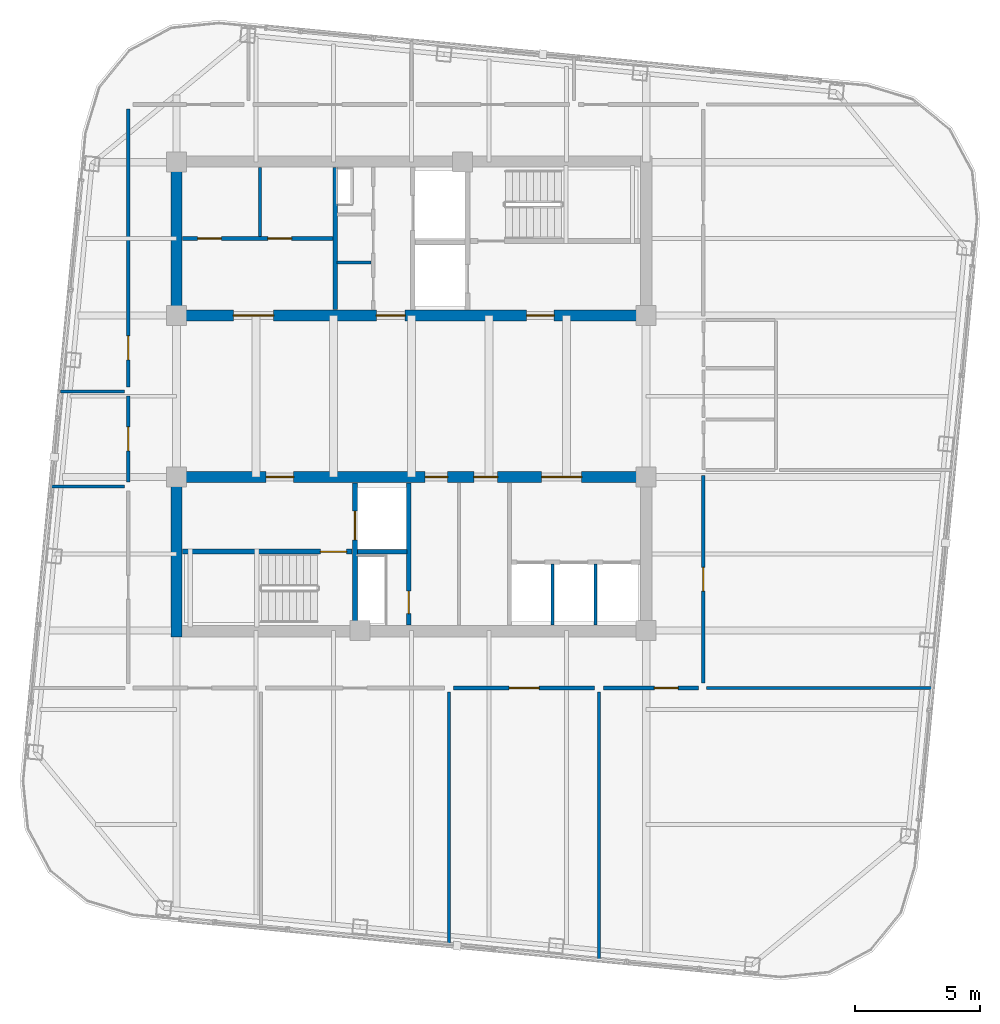
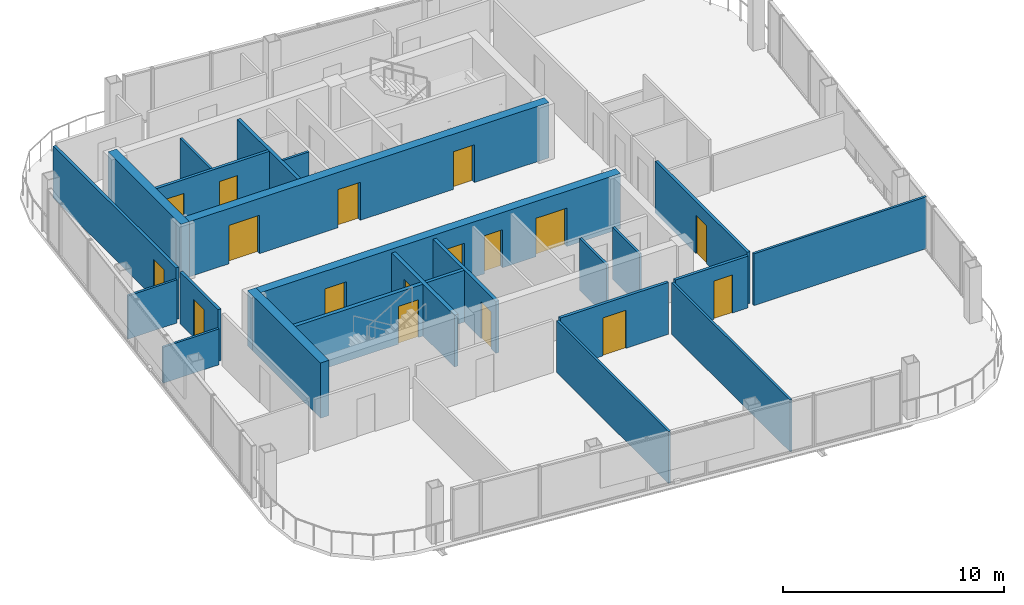
# One storey, part 17 of 23: 24 walls, 17 doors, 17 openings.
"""IFC4 building model written with IfcOpenShell, lengths in metres."""

from ifc_helpers import new_model, si_unit, direction, frame, frame_2d, origin, place, context, subcontext, project, spatial, rectangle, extrude, material, layer, layer_set, type_object, element, fill, save


model = new_model("IFC4")

# Units and contexts
model_context = context("Model", 3, precision=1e-05, world=origin(), true_north=direction((0.0, 1.0)))
body_context = subcontext(model_context, "Body", "Model", "MODEL_VIEW")
ifc_project = project(units=[si_unit("LENGTHUNIT", "METRE"), si_unit("AREAUNIT", "SQUARE_METRE"), si_unit("VOLUMEUNIT", "CUBIC_METRE"), si_unit("PLANEANGLEUNIT", "RADIAN"), si_unit("MASSUNIT", "GRAM", prefix="KILO")], contexts=[model_context])

# Site, building, storey
site_placement = place(None, origin())
site = spatial("IfcSite", under=ifc_project, at=site_placement, CompositionType="ELEMENT")
building_placement = place(site_placement, origin())
building = spatial("IfcBuilding", under=site, at=building_placement, Name="Qhalaya Broadcast Tower", CompositionType="ELEMENT")
storey_placement = place(building_placement, frame((0.0, 0.0, 261.14990234375)))
storey = spatial("IfcBuildingStorey", under=building, at=storey_placement, Name="L77", CompositionType="ELEMENT", Elevation=261.14990234375)

# Wall, openings, doors
ifc_material_1 = material(Name="Gypsum Acoustic Partition")
ifc_layer_1 = layer(ifc_material_1, 0.14990234375, Name="Gypsum Acoustic Partition")
ifc_layer_set_1 = layer_set([ifc_layer_1], Name="Gypsum Acoustic Partition")
wall_type_1 = type_object("IfcWallType", Name="Corridor & Tenancy Acoustic Partition 150", PredefinedType="PARTITIONING", material=ifc_layer_set_1)
wall_1_placement = place(storey_placement, frame((-9.1298828125, 6.89990234375, 0.0), z_axis=(0.0, 0.0, 1.0), x_axis=(1.0, 0.0, 0.0)))
wall_1 = element("IfcWall", 1, at=wall_1_placement, inside=storey, type_object=wall_type_1, Name="L77 Partition Wall NCW-REC1", PredefinedType="PARTITIONING", context=body_context, shape_type="SweptSolid", body=[
    extrude(rectangle(XDim=6.009765625, YDim=0.14990234375, at=frame_2d((3.0048828125, 0.0))), origin(), (0.0, 0.0, 1.0), 2.860107421875),
])
opening_1_placement = place(wall_1_placement, frame((0.60009765625, 0.0, 0.0)))
opening_1 = element("IfcOpeningElement", 2, at=opening_1_placement, cuts=wall_1, Name="Opening D10", PredefinedType="OPENING", context=body_context, shape_type="SweptSolid", body=[
    extrude(rectangle(XDim=0.949951171875, YDim=2.10009765625, at=frame_2d((0.47509765625, 1.050048828125))), frame((0.0, 0.0869140625, 0.0), z_axis=(0.0, -1.0, 0.0), x_axis=(1.0, 0.0, 0.0)), (0.0, 0.0, 1.0), 0.173828125),
])
opening_2_placement = place(wall_1_placement, frame((3.39990234375, 0.0, 0.0)))
opening_2 = element("IfcOpeningElement", 3, at=opening_2_placement, cuts=wall_1, Name="Opening D10", PredefinedType="OPENING", context=body_context, shape_type="SweptSolid", body=[
    extrude(rectangle(XDim=0.949951171875, YDim=2.10009765625, at=frame_2d((0.47509765625, 1.050048828125))), frame((0.0, 0.0869140625, 0.0), z_axis=(0.0, -1.0, 0.0), x_axis=(1.0, 0.0, 0.0)), (0.0, 0.0, 1.0), 0.173828125),
])
ifc_material_2 = material(Name="Timber Veneer Acoustic Door", Category="wood")
door_type_1 = type_object("IfcDoorType", Name="Cellular Office & Edit Booth Door D10", OperationType="NOTDEFINED", PredefinedType="DOOR", material=ifc_material_2)
door_1_placement = place(opening_1_placement, origin())
door_1 = element("IfcDoor", 4, at=door_1_placement, inside=storey, type_object=door_type_1, Name="L77 Door D-NREC1", OperationType="SINGLE_SWING_LEFT", OverallHeight=2.10009765625, OverallWidth=0.949951171875, PredefinedType="DOOR", context=body_context, shape_type="SweptSolid", body=[
    extrude(rectangle(XDim=0.949951171875, YDim=2.10009765625, at=frame_2d((0.47509765625, 1.050048828125))), frame((0.0, 0.02490234375, 0.0), z_axis=(0.0, -1.0, 0.0), x_axis=(1.0, 0.0, 0.0)), (0.0, 0.0, 1.0), 0.050048828125),
])
fill(opening_1, door_1)
door_2_placement = place(opening_2_placement, origin())
door_2 = element("IfcDoor", 5, at=door_2_placement, inside=storey, type_object=door_type_1, Name="L77 Door D-NREC2", OperationType="SINGLE_SWING_RIGHT", OverallHeight=2.10009765625, OverallWidth=0.949951171875, PredefinedType="DOOR", context=body_context, shape_type="SweptSolid", body=[
    extrude(rectangle(XDim=0.949951171875, YDim=2.10009765625, at=frame_2d((0.47509765625, 1.050048828125))), frame((0.0, 0.02490234375, 0.0), z_axis=(0.0, -1.0, 0.0), x_axis=(1.0, 0.0, 0.0)), (0.0, 0.0, 1.0), 0.050048828125),
])
fill(opening_2, door_2)

# Wall, opening, door
wall_2_placement = place(storey_placement, frame((1.679931640625, -11.050048828125, 0.0), z_axis=(0.0, 0.0, 1.0), x_axis=(1.0, 0.0, 0.0)))
wall_2 = element("IfcWall", 6, at=wall_2_placement, inside=storey, type_object=wall_type_1, Name="L77 Partition Wall W-COR-07", PredefinedType="PARTITIONING", context=body_context, shape_type="SweptSolid", body=[
    extrude(rectangle(XDim=5.64013671875, YDim=0.14990234375, at=frame_2d((2.820068359375, 0.0))), origin(), (0.0, 0.0, 1.0), 2.860107421875),
])
opening_3_placement = place(wall_2_placement, frame((2.219970703125, 0.0, 0.0)))
opening_3 = element("IfcOpeningElement", 7, at=opening_3_placement, cuts=wall_2, Name="Opening D11", PredefinedType="OPENING", context=body_context, shape_type="SweptSolid", body=[
    extrude(rectangle(XDim=1.199951171875, YDim=2.10009765625, at=frame_2d((0.60009765625, 1.050048828125))), frame((0.0, 0.0869140625, 0.0), z_axis=(0.0, -1.0, 0.0), x_axis=(1.0, 0.0, 0.0)), (0.0, 0.0, 1.0), 0.173828125),
])
ifc_material_3 = material(Name="Anodised Aluminium Glazed Door", Category="aluminium")
door_type_2 = type_object("IfcDoorType", Name="Conference, Boardroom & Studio Control Door D11", OperationType="NOTDEFINED", PredefinedType="DOOR", material=ifc_material_3)
door_3_placement = place(opening_3_placement, origin())
door_3 = element("IfcDoor", 8, at=door_3_placement, inside=storey, type_object=door_type_2, Name="L77 Door D-RM07", OperationType="SINGLE_SWING_LEFT", OverallHeight=2.10009765625, OverallWidth=1.199951171875, PredefinedType="DOOR", context=body_context, shape_type="SweptSolid", body=[
    extrude(rectangle(XDim=1.199951171875, YDim=2.10009765625, at=frame_2d((0.60009765625, 1.050048828125))), frame((0.0, 0.02490234375, 0.0), z_axis=(0.0, -1.0, 0.0), x_axis=(1.0, 0.0, 0.0)), (0.0, 0.0, 1.0), 0.050048828125),
])
fill(opening_3, door_3)

wall_3_placement = place(storey_placement, frame((7.679931640625, -11.050048828125, 0.0), z_axis=(0.0, 0.0, 1.0), x_axis=(1.0, 0.0, 0.0)))
wall_3 = element("IfcWall", 9, at=wall_3_placement, inside=storey, type_object=wall_type_1, Name="L77 Partition Wall W-COR-08", PredefinedType="PARTITIONING", context=body_context, shape_type="SweptSolid", body=[
    extrude(rectangle(XDim=3.7900390625, YDim=0.14990234375, at=frame_2d((1.89501953125, 0.0))), origin(), (0.0, 0.0, 1.0), 2.860107421875),
])
opening_4_placement = place(wall_3_placement, frame((2.02001953125, 0.0, 0.0)))
opening_4 = element("IfcOpeningElement", 10, at=opening_4_placement, cuts=wall_3, Name="Opening D10", PredefinedType="OPENING", context=body_context, shape_type="SweptSolid", body=[
    extrude(rectangle(XDim=0.949951171875, YDim=2.10009765625, at=frame_2d((0.47509765625, 1.050048828125))), frame((0.0, 0.0869140625, 0.0), z_axis=(0.0, -1.0, 0.0), x_axis=(1.0, 0.0, 0.0)), (0.0, 0.0, 1.0), 0.173828125),
])
door_4_placement = place(opening_4_placement, origin())
door_4 = element("IfcDoor", 11, at=door_4_placement, inside=storey, type_object=door_type_1, Name="L77 Door D-RM08", OperationType="SINGLE_SWING_RIGHT", OverallHeight=2.10009765625, OverallWidth=0.949951171875, PredefinedType="DOOR", context=body_context, shape_type="SweptSolid", body=[
    extrude(rectangle(XDim=0.949951171875, YDim=2.10009765625, at=frame_2d((0.47509765625, 1.050048828125))), frame((0.0, 0.02490234375, 0.0), z_axis=(0.0, -1.0, 0.0), x_axis=(1.0, 0.0, 0.0)), (0.0, 0.0, 1.0), 0.050048828125),
])
fill(opening_4, door_4)

wall_4_placement = place(storey_placement, frame((-11.300048828125, 0.6201171875, 0.0), z_axis=(0.0, 0.0, 1.0), x_axis=(0.0, -1.0, 0.0)))
wall_4 = element("IfcWall", 12, at=wall_4_placement, inside=storey, type_object=wall_type_1, Name="L77 Partition Wall W-COR-10", PredefinedType="PARTITIONING", context=body_context, shape_type="SweptSolid", body=[
    extrude(rectangle(XDim=3.440185546875, YDim=0.14990234375, at=frame_2d((1.72021484375, 0.0))), origin(), (0.0, 0.0, 1.0), 2.860107421875),
])
opening_5_placement = place(wall_4_placement, frame((1.2451171875, 0.0, 0.0)))
opening_5 = element("IfcOpeningElement", 13, at=opening_5_placement, cuts=wall_4, Name="Opening D10", PredefinedType="OPENING", context=body_context, shape_type="SweptSolid", body=[
    extrude(rectangle(XDim=0.949951171875, YDim=2.10009765625, at=frame_2d((0.47509765625, 1.050048828125))), frame((0.0, 0.0869140625, 0.0), z_axis=(0.0, -1.0, 0.0), x_axis=(1.0, 0.0, 0.0)), (0.0, 0.0, 1.0), 0.173828125),
])
door_5_placement = place(opening_5_placement, origin())
door_5 = element("IfcDoor", 14, at=door_5_placement, inside=storey, type_object=door_type_1, Name="L77 Door D-RM10", OperationType="SINGLE_SWING_RIGHT", OverallHeight=2.10009765625, OverallWidth=0.949951171875, PredefinedType="DOOR", context=body_context, shape_type="SweptSolid", body=[
    extrude(rectangle(XDim=0.949951171875, YDim=2.10009765625, at=frame_2d((0.47509765625, 1.050048828125))), frame((0.0, 0.02490234375, 0.0), z_axis=(0.0, -1.0, 0.0), x_axis=(1.0, 0.0, 0.0)), (0.0, 0.0, 1.0), 0.050048828125),
])
fill(opening_5, door_5)

wall_5_placement = place(storey_placement, frame((-11.300048828125, 12.070068359375, 0.0), z_axis=(0.0, 0.0, 1.0), x_axis=(0.0, -1.0, 0.0)))
wall_5 = element("IfcWall", 15, at=wall_5_placement, inside=storey, type_object=wall_type_1, Name="L77 Partition Wall W-COR-11", PredefinedType="PARTITIONING", context=body_context, shape_type="SweptSolid", body=[
    extrude(rectangle(XDim=11.090087890625, YDim=0.14990234375, at=frame_2d((5.544921875, 0.0))), origin(), (0.0, 0.0, 1.0), 2.860107421875),
])
opening_6_placement = place(wall_5_placement, frame((9.06201171875, 0.0, 0.0)))
opening_6 = element("IfcOpeningElement", 16, at=opening_6_placement, cuts=wall_5, Name="Opening D10", PredefinedType="OPENING", context=body_context, shape_type="SweptSolid", body=[
    extrude(rectangle(XDim=0.949951171875, YDim=2.10009765625, at=frame_2d((0.47509765625, 1.050048828125))), frame((0.0, 0.0869140625, 0.0), z_axis=(0.0, -1.0, 0.0), x_axis=(1.0, 0.0, 0.0)), (0.0, 0.0, 1.0), 0.173828125),
])
door_6_placement = place(opening_6_placement, origin())
door_6 = element("IfcDoor", 17, at=door_6_placement, inside=storey, type_object=door_type_1, Name="L77 Door D-RM11", OperationType="SINGLE_SWING_LEFT", OverallHeight=2.10009765625, OverallWidth=0.949951171875, PredefinedType="DOOR", context=body_context, shape_type="SweptSolid", body=[
    extrude(rectangle(XDim=0.949951171875, YDim=2.10009765625, at=frame_2d((0.47509765625, 1.050048828125))), frame((0.0, 0.02490234375, 0.0), z_axis=(0.0, -1.0, 0.0), x_axis=(1.0, 0.0, 0.0)), (0.0, 0.0, 1.0), 0.050048828125),
])
fill(opening_6, door_6)

wall_6_placement = place(storey_placement, frame((11.64990234375, -10.85009765625, 0.0), z_axis=(0.0, 0.0, 1.0), x_axis=(0.0, 1.0, 0.0)))
wall_6 = element("IfcWall", 18, at=wall_6_placement, inside=storey, type_object=wall_type_1, Name="L77 Partition Wall W-COR-12", PredefinedType="PARTITIONING", context=body_context, shape_type="SweptSolid", body=[
    extrude(rectangle(XDim=8.2900390625, YDim=0.14990234375, at=frame_2d((4.14501953125, 0.0))), origin(), (0.0, 0.0, 1.0), 2.860107421875),
])
opening_7_placement = place(wall_6_placement, frame((3.669921875, 0.0, 0.0)))
opening_7 = element("IfcOpeningElement", 19, at=opening_7_placement, cuts=wall_6, Name="Opening D10", PredefinedType="OPENING", context=body_context, shape_type="SweptSolid", body=[
    extrude(rectangle(XDim=0.949951171875, YDim=2.10009765625, at=frame_2d((0.47509765625, 1.050048828125))), frame((0.0, 0.0869140625, 0.0), z_axis=(0.0, -1.0, 0.0), x_axis=(1.0, 0.0, 0.0)), (0.0, 0.0, 1.0), 0.173828125),
])
door_7_placement = place(opening_7_placement, origin())
door_7 = element("IfcDoor", 20, at=door_7_placement, inside=storey, type_object=door_type_1, Name="L77 Door D-RM12", OperationType="SINGLE_SWING_RIGHT", OverallHeight=2.10009765625, OverallWidth=0.949951171875, PredefinedType="DOOR", context=body_context, shape_type="SweptSolid", body=[
    extrude(rectangle(XDim=0.949951171875, YDim=2.10009765625, at=frame_2d((0.47509765625, 1.050048828125))), frame((0.0, 0.02490234375, 0.0), z_axis=(0.0, -1.0, 0.0), x_axis=(1.0, 0.0, 0.0)), (0.0, 0.0, 1.0), 0.050048828125),
])
fill(opening_7, door_7)

ifc_material_4 = material(Name="Concrete C50/60", Category="concrete")
ifc_layer_2 = layer(ifc_material_4, 0.199951171875, Name="Concrete C50/60")
ifc_layer_set_2 = layer_set([ifc_layer_2], Name="Concrete C50/60")
wall_type_2 = type_object("IfcWallType", Name="Load-Bearing Stair Shaft Wall 200", PredefinedType="SHEAR", material=ifc_layer_set_2)
wall_7_placement = place(storey_placement, frame((-9.1298828125, -5.60498046875, 0.0), z_axis=(0.0, 0.0, 1.0), x_axis=(1.0, 0.0, 0.0)))
wall_7 = element("IfcWall", 21, at=wall_7_placement, inside=storey, type_object=wall_type_2, Name="L77 Stair Core Shear Wall SCW-ST2", PredefinedType="SHEAR", context=body_context, shape_type="SweptSolid", body=[
    extrude(rectangle(XDim=6.769775390625, YDim=0.199951171875, at=frame_2d((3.384765625, 0.0))), origin(), (0.0, 0.0, 1.0), 2.860107421875),
])
opening_8_placement = place(wall_7_placement, frame((5.5, 0.0, 0.0)))
opening_8 = element("IfcOpeningElement", 22, at=opening_8_placement, cuts=wall_7, Name="Opening D03", PredefinedType="OPENING", context=body_context, shape_type="SweptSolid", body=[
    extrude(rectangle(XDim=1.050048828125, YDim=2.080078125, at=frame_2d((0.52490234375, 1.0400390625))), frame((0.0, 0.112060546875, 0.0), z_axis=(0.0, -1.0, 0.0), x_axis=(1.0, 0.0, 0.0)), (0.0, 0.0, 1.0), 0.223876953125),
])
ifc_material_5 = material(Name="Fire-Rated Steel Door", Category="steel")
door_type_3 = type_object("IfcDoorType", Name="Core Stair Protected Fire Door D03", OperationType="NOTDEFINED", PredefinedType="DOOR", material=ifc_material_5)
door_8_placement = place(opening_8_placement, origin())
door_8 = element("IfcDoor", 23, at=door_8_placement, inside=storey, type_object=door_type_3, Name="L77 Door D-SST2", OperationType="SINGLE_SWING_RIGHT", OverallHeight=2.080078125, OverallWidth=1.050048828125, PredefinedType="DOOR", context=body_context, shape_type="SweptSolid", body=[
    extrude(rectangle(XDim=1.050048828125, YDim=2.080078125, at=frame_2d((0.52490234375, 1.0400390625))), frame((0.0, 0.02490234375, 0.0), z_axis=(0.0, -1.0, 0.0), x_axis=(1.0, 0.0, 0.0)), (0.0, 0.0, 1.0), 0.050048828125),
])
fill(opening_8, door_8)

wall_8_placement = place(storey_placement, frame((-2.25, -8.530029296875, 0.0), z_axis=(0.0, 0.0, 1.0), x_axis=(0.0, 1.0, 0.0)))
wall_8 = element("IfcWall", 24, at=wall_8_placement, inside=storey, type_object=wall_type_2, Name="L77 Stair Core Shear Wall SCW-FF", PredefinedType="SHEAR", context=body_context, shape_type="SweptSolid", body=[
    extrude(rectangle(XDim=5.659912109375, YDim=0.199951171875, at=frame_2d((2.830078125, 0.0))), origin(), (0.0, 0.0, 1.0), 2.860107421875),
])
opening_9_placement = place(wall_8_placement, frame((3.39990234375, 0.0, 0.0)))
opening_9 = element("IfcOpeningElement", 25, at=opening_9_placement, cuts=wall_8, Name="Opening LD2", PredefinedType="OPENING", context=body_context, shape_type="SweptSolid", body=[
    extrude(rectangle(XDim=1.14990234375, YDim=2.080078125, at=frame_2d((0.574951171875, 1.0400390625))), frame((0.0, 0.112060546875, 0.0), z_axis=(0.0, -1.0, 0.0), x_axis=(1.0, 0.0, 0.0)), (0.0, 0.0, 1.0), 0.223876953125),
])
ifc_material_6 = material(Name="Brushed Stainless Steel Lift Door", Category="steel")
door_type_4 = type_object("IfcDoorType", Name="Firefighting Lift Sliding Landing Door LD2", OperationType="DOUBLE_DOOR_SLIDING", PredefinedType="DOOR", material=ifc_material_6)
door_9_placement = place(opening_9_placement, origin())
door_9 = element("IfcDoor", 26, at=door_9_placement, inside=storey, type_object=door_type_4, Name="L77 Door LD-FF2", OperationType="DOUBLE_DOOR_SLIDING", OverallHeight=2.080078125, OverallWidth=1.14990234375, PredefinedType="DOOR", context=body_context, shape_type="SweptSolid", body=[
    extrude(rectangle(XDim=1.14990234375, YDim=2.080078125, at=frame_2d((0.574951171875, 1.0400390625))), frame((0.0, 0.02490234375, 0.0), z_axis=(0.0, -1.0, 0.0), x_axis=(1.0, 0.0, 0.0)), (0.0, 0.0, 1.0), 0.050048828125),
])
fill(opening_9, door_9)

# Walls
ifc_layer_3 = layer(ifc_material_1, 0.1201171875, Name="Gypsum Acoustic Partition")
ifc_layer_set_3 = layer_set([ifc_layer_3], Name="Gypsum Acoustic Partition")
wall_type_3 = type_object("IfcWallType", Name="Office, Booth & Sanitary Partition 120", PredefinedType="PARTITIONING", material=ifc_layer_set_3)
wall_9_placement = place(storey_placement, frame((-2.9599609375, 5.949951171875, 0.0), z_axis=(0.0, 0.0, 1.0), x_axis=(1.0, 0.0, 0.0)))
element("IfcWall", 27, at=wall_9_placement, inside=storey, type_object=wall_type_3, Name="L77 Partition Wall NCW-VB1", PredefinedType="PARTITIONING", context=body_context, shape_type="SweptSolid", body=[
    extrude(rectangle(XDim=1.35986328125, YDim=0.1201171875, at=frame_2d((0.679931640625, 0.0))), origin(), (0.0, 0.0, 1.0), 2.860107421875),
])
wall_10_placement = place(storey_placement, frame((-6.050048828125, 6.97998046875, 0.0), z_axis=(0.0, 0.0, 1.0), x_axis=(0.0, 1.0, 0.0)))
element("IfcWall", 28, at=wall_10_placement, inside=storey, type_object=wall_type_3, Name="L77 Partition Wall NCW-REC2", PredefinedType="PARTITIONING", context=body_context, shape_type="SweptSolid", body=[
    extrude(rectangle(XDim=2.75, YDim=0.1201171875, at=frame_2d((1.375, 0.0))), origin(), (0.0, 0.0, 1.0), 2.860107421875),
])
for number, where, z_axis, x_axis, name in (
    (29, (5.639892578125, -8.530029296875, 0.0), (0.0, 0.0, 1.0), (0.0, 1.0, 0.0), "L77 Partition Wall SCW-HD6"),
    (30, (7.360107421875, -8.530029296875, 0.0), (0.0, 0.0, 1.0), (0.0, 1.0, 0.0), "L77 Partition Wall SCW-HD7"),
):
    element("IfcWall", number, at=place(storey_placement, frame(where, z_axis=z_axis, x_axis=x_axis)), inside=storey, type_object=wall_type_3, Name=name, PredefinedType="PARTITIONING", context=body_context, shape_type="SweptSolid", body=[
        extrude(rectangle(XDim=2.429931640625, YDim=0.1201171875, at=frame_2d((1.21484375, 0.0))), origin(), (0.0, 0.0, 1.0), 2.860107421875),
    ])
wall_11_placement = place(storey_placement, frame((11.7900390625, -11.050048828125, 0.0), z_axis=(0.0, 0.0, 1.0), x_axis=(1.0, 0.0, 0.0)))
element("IfcWall", 31, at=wall_11_placement, inside=storey, type_object=wall_type_3, Name="L77 Partition Wall W-BNDE2", PredefinedType="PARTITIONING", context=body_context, shape_type="SweptSolid", body=[
    extrude(rectangle(XDim=8.989501953125, YDim=0.1201171875, at=frame_2d((4.49462890625, 0.0))), origin(), (0.0, 0.0, 1.0), 2.860107421875),
])
wall_12_placement = place(storey_placement, frame((1.5, -21.30615234375, 0.0), z_axis=(0.0, 0.0, 1.0), x_axis=(0.0, 1.0, 0.0)))
element("IfcWall", 32, at=wall_12_placement, inside=storey, type_object=wall_type_3, Name="L77 Partition Wall W-DIVS2", PredefinedType="PARTITIONING", context=body_context, shape_type="SweptSolid", body=[
    extrude(rectangle(XDim=10.09619140625, YDim=0.1201171875, at=frame_2d((5.048095703125, 0.0))), origin(), (0.0, 0.0, 1.0), 2.860107421875),
])
wall_13_placement = place(storey_placement, frame((7.5, -21.884033203125, 0.0), z_axis=(0.0, 0.0, 1.0), x_axis=(0.0, 1.0, 0.0)))
element("IfcWall", 33, at=wall_13_placement, inside=storey, type_object=wall_type_3, Name="L77 Partition Wall W-DIVS3", PredefinedType="PARTITIONING", context=body_context, shape_type="SweptSolid", body=[
    extrude(rectangle(XDim=10.674072265625, YDim=0.1201171875, at=frame_2d((5.3369140625, 0.0))), origin(), (0.0, 0.0, 1.0), 2.860107421875),
])
wall_14_placement = place(storey_placement, frame((-14.37060546875, -3.0, 0.0), z_axis=(0.0, 0.0, 1.0), x_axis=(1.0, 0.0, 0.0)))
element("IfcWall", 34, at=wall_14_placement, inside=storey, type_object=wall_type_3, Name="L77 Partition Wall W-DIVW1", PredefinedType="PARTITIONING", context=body_context, shape_type="SweptSolid", body=[
    extrude(rectangle(XDim=2.91064453125, YDim=0.1201171875, at=frame_2d((1.455322265625, 0.0))), origin(), (0.0, 0.0, 1.0), 1.981201171875),
])
wall_15_placement = place(storey_placement, frame((-14.0048828125, 0.800048828125, 0.0), z_axis=(0.0, 0.0, 1.0), x_axis=(1.0, 0.0, 0.0)))
element("IfcWall", 35, at=wall_15_placement, inside=storey, type_object=wall_type_3, Name="L77 Partition Wall W-DIVW2", PredefinedType="PARTITIONING", context=body_context, shape_type="SweptSolid", body=[
    extrude(rectangle(XDim=2.544921875, YDim=0.1201171875, at=frame_2d((1.2724609375, 0.0))), origin(), (0.0, 0.0, 1.0), 2.381103515625),
])
ifc_layer_4 = layer(ifc_material_1, 0.175048828125, Name="Gypsum Acoustic Partition")
ifc_layer_set_4 = layer_set([ifc_layer_4], Name="Gypsum Acoustic Partition")
wall_type_4 = type_object("IfcWallType", Name="Shaft & Riser Fire Partition 175", PredefinedType="PARTITIONING", material=ifc_layer_set_4)
wall_16_placement = place(storey_placement, frame((-3.0400390625, 4.070068359375, 0.0), z_axis=(0.0, 0.0, 1.0), x_axis=(0.0, 1.0, 0.0)))
element("IfcWall", 36, at=wall_16_placement, inside=storey, type_object=wall_type_4, Name="L77 Partition Wall NCW-VRW", PredefinedType="PARTITIONING", context=body_context, shape_type="SweptSolid", body=[
    extrude(rectangle(XDim=5.659912109375, YDim=0.175048828125, at=frame_2d((2.830078125, 0.0))), origin(), (0.0, 0.0, 1.0), 2.860107421875),
])

# Wall, opening, door
wall_17_placement = place(storey_placement, frame((-0.10009765625, -8.530029296875, 0.0), z_axis=(0.0, 0.0, 1.0), x_axis=(0.0, 1.0, 0.0)))
wall_17 = element("IfcWall", 37, at=wall_17_placement, inside=storey, type_object=wall_type_4, Name="L77 Partition Wall SCW-FFE", PredefinedType="PARTITIONING", context=body_context, shape_type="SweptSolid", body=[
    extrude(rectangle(XDim=5.659912109375, YDim=0.175048828125, at=frame_2d((2.830078125, 0.0))), origin(), (0.0, 0.0, 1.0), 2.860107421875),
])
opening_10_placement = place(wall_17_placement, frame((0.449951171875, 0.0, 0.0)))
opening_10 = element("IfcOpeningElement", 38, at=opening_10_placement, cuts=wall_17, Name="Opening D06", PredefinedType="OPENING", context=body_context, shape_type="SweptSolid", body=[
    extrude(rectangle(XDim=0.89990234375, YDim=2.050048828125, at=frame_2d((0.449951171875, 1.02490234375))), frame((0.0, 0.099609375, 0.0), z_axis=(0.0, -1.0, 0.0), x_axis=(1.0, 0.0, 0.0)), (0.0, 0.0, 1.0), 0.198974609375),
])
door_type_5 = type_object("IfcDoorType", Name="Riser & Electrical Shaft Access Door D06", OperationType="NOTDEFINED", PredefinedType="DOOR", material=ifc_material_5)
door_10_placement = place(opening_10_placement, origin())
door_10 = element("IfcDoor", 39, at=door_10_placement, inside=storey, type_object=door_type_5, Name="L77 Riser Shaft Access Door D-SRSR", OperationType="SINGLE_SWING_LEFT", OverallHeight=2.050048828125, OverallWidth=0.89990234375, PredefinedType="DOOR", context=body_context, shape_type="SweptSolid", body=[
    extrude(rectangle(XDim=0.89990234375, YDim=2.050048828125, at=frame_2d((0.449951171875, 1.02490234375))), frame((0.0, 0.02490234375, 0.0), z_axis=(0.0, -1.0, 0.0), x_axis=(1.0, 0.0, 0.0)), (0.0, 0.0, 1.0), 0.050048828125),
])
fill(opening_10, door_10)

# Wall
wall_18_placement = place(storey_placement, frame((-2.14990234375, -5.60009765625, 0.0), z_axis=(0.0, 0.0, 1.0), x_axis=(1.0, 0.0, 0.0)))
element("IfcWall", 40, at=wall_18_placement, inside=storey, type_object=wall_type_4, Name="L77 Partition Wall SCW-FFM", PredefinedType="PARTITIONING", context=body_context, shape_type="SweptSolid", body=[
    extrude(rectangle(XDim=1.969970703125, YDim=0.175048828125, at=frame_2d((0.98486328125, 0.0))), origin(), (0.0, 0.0, 1.0), 2.860107421875),
])

# Wall, openings, doors
ifc_layer_5 = layer(ifc_material_4, 0.449951171875, Name="Concrete C50/60")
ifc_layer_set_5 = layer_set([ifc_layer_5], Name="Concrete C50/60")
wall_type_5 = type_object("IfcWallType", Name="Upper Split-Core Shear Wall 450", PredefinedType="SHEAR", material=ifc_layer_set_5)
wall_19_placement = place(storey_placement, frame((-9.60009765625, 3.824951171875, 0.0), z_axis=(0.0, 0.0, 1.0), x_axis=(1.0, 0.0, 0.0)))
wall_19 = element("IfcWall", 41, at=wall_19_placement, inside=storey, type_object=wall_type_5, Name="L77 Split-Core Shear Wall CW-NS", PredefinedType="SHEAR", context=body_context, shape_type="SweptSolid", body=[
    extrude(rectangle(XDim=19.2001953125, YDim=0.449951171875, at=frame_2d((9.60009765625, 0.0))), origin(), (0.0, 0.0, 1.0), 3.050048828125),
])
opening_11_placement = place(wall_19_placement, frame((14.199951171875, 0.0, 0.0)))
opening_11 = element("IfcOpeningElement", 42, at=opening_11_placement, cuts=wall_19, Name="Opening D04", PredefinedType="OPENING", context=body_context, shape_type="SweptSolid", body=[
    extrude(rectangle(XDim=1.10009765625, YDim=2.080078125, at=frame_2d((0.550048828125, 1.0400390625))), frame((0.0, 0.237060546875, 0.0), z_axis=(0.0, -1.0, 0.0), x_axis=(1.0, 0.0, 0.0)), (0.0, 0.0, 1.0), 0.473876953125),
])
opening_12_placement = place(wall_19_placement, frame((8.199951171875, 0.0, 0.0)))
opening_12 = element("IfcOpeningElement", 43, at=opening_12_placement, cuts=wall_19, Name="Opening D05", PredefinedType="OPENING", context=body_context, shape_type="SweptSolid", body=[
    extrude(rectangle(XDim=1.14990234375, YDim=2.10009765625, at=frame_2d((0.574951171875, 1.050048828125))), frame((0.0, 0.237060546875, 0.0), z_axis=(0.0, -1.0, 0.0), x_axis=(1.0, 0.0, 0.0)), (0.0, 0.0, 1.0), 0.473876953125),
])
opening_13_placement = place(wall_19_placement, frame((2.5, 0.0, 0.0)))
opening_13 = element("IfcOpeningElement", 44, at=opening_13_placement, cuts=wall_19, Name="Opening D07", PredefinedType="OPENING", context=body_context, shape_type="SweptSolid", body=[
    extrude(rectangle(XDim=1.60009765625, YDim=2.1201171875, at=frame_2d((0.800048828125, 1.06005859375))), frame((0.0, 0.237060546875, 0.0), z_axis=(0.0, -1.0, 0.0), x_axis=(1.0, 0.0, 0.0)), (0.0, 0.0, 1.0), 0.473876953125),
])
door_type_6 = type_object("IfcDoorType", Name="Firefighting Lobby Rated Door D04", OperationType="NOTDEFINED", PredefinedType="DOOR", material=ifc_material_5)
door_11_placement = place(opening_11_placement, origin())
door_11 = element("IfcDoor", 45, at=door_11_placement, inside=storey, type_object=door_type_6, Name="L77 Door D-NFF", OperationType="SINGLE_SWING_RIGHT", OverallHeight=2.080078125, OverallWidth=1.10009765625, PredefinedType="DOOR", context=body_context, shape_type="SweptSolid", body=[
    extrude(rectangle(XDim=1.10009765625, YDim=2.080078125, at=frame_2d((0.550048828125, 1.0400390625))), frame((0.0, 0.02490234375, 0.0), z_axis=(0.0, -1.0, 0.0), x_axis=(1.0, 0.0, 0.0)), (0.0, 0.0, 1.0), 0.050048828125),
])
fill(opening_11, door_11)
door_type_7 = type_object("IfcDoorType", Name="Passenger Lift Lobby Double Glazed Door D07", OperationType="DOUBLE_DOOR_SINGLE_SWING", PredefinedType="DOOR", material=ifc_material_3)
door_12_placement = place(opening_13_placement, origin())
door_12 = element("IfcDoor", 46, at=door_12_placement, inside=storey, type_object=door_type_7, Name="L77 Door D-NRECV", OperationType="DOUBLE_DOOR_SINGLE_SWING", OverallHeight=2.1201171875, OverallWidth=1.60009765625, PredefinedType="DOOR", context=body_context, shape_type="SweptSolid", body=[
    extrude(rectangle(XDim=1.60009765625, YDim=2.1201171875, at=frame_2d((0.800048828125, 1.06005859375))), frame((0.0, 0.02490234375, 0.0), z_axis=(0.0, -1.0, 0.0), x_axis=(1.0, 0.0, 0.0)), (0.0, 0.0, 1.0), 0.050048828125),
])
fill(opening_13, door_12)
door_type_8 = type_object("IfcDoorType", Name="Refuge & Plant Room Fire Door D05", OperationType="NOTDEFINED", PredefinedType="DOOR", material=ifc_material_5)
door_13_placement = place(opening_12_placement, origin())
door_13 = element("IfcDoor", 47, at=door_13_placement, inside=storey, type_object=door_type_8, Name="L77 Door D-NSVL", OperationType="SINGLE_SWING_LEFT", OverallHeight=2.10009765625, OverallWidth=1.14990234375, PredefinedType="DOOR", context=body_context, shape_type="SweptSolid", body=[
    extrude(rectangle(XDim=1.14990234375, YDim=2.10009765625, at=frame_2d((0.574951171875, 1.050048828125))), frame((0.0, 0.02490234375, 0.0), z_axis=(0.0, -1.0, 0.0), x_axis=(1.0, 0.0, 0.0)), (0.0, 0.0, 1.0), 0.050048828125),
])
fill(opening_12, door_13)

# Wall
wall_20_placement = place(storey_placement, frame((-9.375, 3.60009765625, 0.0), z_axis=(0.0, 0.0, 1.0), x_axis=(0.0, 1.0, 0.0)))
element("IfcWall", 48, at=wall_20_placement, inside=storey, type_object=wall_type_5, Name="L77 Split-Core Shear Wall CW-NW", PredefinedType="SHEAR", context=body_context, shape_type="SweptSolid", body=[
    extrude(rectangle(XDim=6.599853515625, YDim=0.449951171875, at=frame_2d((3.2998046875, 0.0))), origin(), (0.0, 0.0, 1.0), 3.050048828125),
])

# Wall, openings, doors
wall_21_placement = place(storey_placement, frame((-9.60009765625, -2.625, 0.0), z_axis=(0.0, 0.0, 1.0), x_axis=(1.0, 0.0, 0.0)))
wall_21 = element("IfcWall", 49, at=wall_21_placement, inside=storey, type_object=wall_type_5, Name="L77 Split-Core Shear Wall CW-SN", PredefinedType="SHEAR", context=body_context, shape_type="SweptSolid", body=[
    extrude(rectangle(XDim=19.2001953125, YDim=0.449951171875, at=frame_2d((9.60009765625, 0.0))), origin(), (0.0, 0.0, 1.0), 3.050048828125),
])
opening_14_placement = place(wall_21_placement, frame((3.800048828125, 0.0, 0.0)))
opening_14 = element("IfcOpeningElement", 50, at=opening_14_placement, cuts=wall_21, Name="Opening D04", PredefinedType="OPENING", context=body_context, shape_type="SweptSolid", body=[
    extrude(rectangle(XDim=1.10009765625, YDim=2.080078125, at=frame_2d((0.550048828125, 1.0400390625))), frame((0.0, 0.237060546875, 0.0), z_axis=(0.0, -1.0, 0.0), x_axis=(1.0, 0.0, 0.0)), (0.0, 0.0, 1.0), 0.473876953125),
])
opening_15_placement = place(wall_21_placement, frame((10.14990234375, 0.0, 0.0)))
opening_15 = element("IfcOpeningElement", 51, at=opening_15_placement, cuts=wall_21, Name="Opening D06", PredefinedType="OPENING", context=body_context, shape_type="SweptSolid", body=[
    extrude(rectangle(XDim=0.89990234375, YDim=2.050048828125, at=frame_2d((0.449951171875, 1.02490234375))), frame((0.0, 0.237060546875, 0.0), z_axis=(0.0, -1.0, 0.0), x_axis=(1.0, 0.0, 0.0)), (0.0, 0.0, 1.0), 0.473876953125),
])
opening_16_placement = place(wall_21_placement, frame((12.10009765625, 0.0, 0.0)))
opening_16 = element("IfcOpeningElement", 52, at=opening_16_placement, cuts=wall_21, Name="Opening D10", PredefinedType="OPENING", context=body_context, shape_type="SweptSolid", body=[
    extrude(rectangle(XDim=0.949951171875, YDim=2.10009765625, at=frame_2d((0.47509765625, 1.050048828125))), frame((0.0, 0.237060546875, 0.0), z_axis=(0.0, -1.0, 0.0), x_axis=(1.0, 0.0, 0.0)), (0.0, 0.0, 1.0), 0.473876953125),
])
opening_17_placement = place(wall_21_placement, frame((14.800048828125, 0.0, 0.0)))
opening_17 = element("IfcOpeningElement", 53, at=opening_17_placement, cuts=wall_21, Name="Opening D07", PredefinedType="OPENING", context=body_context, shape_type="SweptSolid", body=[
    extrude(rectangle(XDim=1.60009765625, YDim=2.1201171875, at=frame_2d((0.800048828125, 1.06005859375))), frame((0.0, 0.237060546875, 0.0), z_axis=(0.0, -1.0, 0.0), x_axis=(1.0, 0.0, 0.0)), (0.0, 0.0, 1.0), 0.473876953125),
])
door_14_placement = place(opening_16_placement, origin())
door_14 = element("IfcDoor", 54, at=door_14_placement, inside=storey, type_object=door_type_1, Name="L77 Door D-SREC2", OperationType="SINGLE_SWING_RIGHT", OverallHeight=2.10009765625, OverallWidth=0.949951171875, PredefinedType="DOOR", context=body_context, shape_type="SweptSolid", body=[
    extrude(rectangle(XDim=0.949951171875, YDim=2.10009765625, at=frame_2d((0.47509765625, 1.050048828125))), frame((0.0, 0.02490234375, 0.0), z_axis=(0.0, -1.0, 0.0), x_axis=(1.0, 0.0, 0.0)), (0.0, 0.0, 1.0), 0.050048828125),
])
fill(opening_16, door_14)
door_15_placement = place(opening_14_placement, origin())
door_15 = element("IfcDoor", 55, at=door_15_placement, inside=storey, type_object=door_type_6, Name="L77 Door D-SFF", OperationType="SINGLE_SWING_LEFT", OverallHeight=2.080078125, OverallWidth=1.10009765625, PredefinedType="DOOR", context=body_context, shape_type="SweptSolid", body=[
    extrude(rectangle(XDim=1.10009765625, YDim=2.080078125, at=frame_2d((0.550048828125, 1.0400390625))), frame((0.0, 0.02490234375, 0.0), z_axis=(0.0, -1.0, 0.0), x_axis=(1.0, 0.0, 0.0)), (0.0, 0.0, 1.0), 0.050048828125),
])
fill(opening_14, door_15)
door_16_placement = place(opening_17_placement, origin())
door_16 = element("IfcDoor", 56, at=door_16_placement, inside=storey, type_object=door_type_7, Name="L77 Door D-SPLL", OperationType="DOUBLE_DOOR_SINGLE_SWING", OverallHeight=2.1201171875, OverallWidth=1.60009765625, PredefinedType="DOOR", context=body_context, shape_type="SweptSolid", body=[
    extrude(rectangle(XDim=1.60009765625, YDim=2.1201171875, at=frame_2d((0.800048828125, 1.06005859375))), frame((0.0, 0.02490234375, 0.0), z_axis=(0.0, -1.0, 0.0), x_axis=(1.0, 0.0, 0.0)), (0.0, 0.0, 1.0), 0.050048828125),
])
fill(opening_17, door_16)
door_17_placement = place(opening_15_placement, origin())
door_17 = element("IfcDoor", 57, at=door_17_placement, inside=storey, type_object=door_type_5, Name="L77 Door D-SREC1", OperationType="SINGLE_SWING_LEFT", OverallHeight=2.050048828125, OverallWidth=0.89990234375, PredefinedType="DOOR", context=body_context, shape_type="SweptSolid", body=[
    extrude(rectangle(XDim=0.89990234375, YDim=2.050048828125, at=frame_2d((0.449951171875, 1.02490234375))), frame((0.0, 0.02490234375, 0.0), z_axis=(0.0, -1.0, 0.0), x_axis=(1.0, 0.0, 0.0)), (0.0, 0.0, 1.0), 0.050048828125),
])
fill(opening_15, door_17)

# Wall
wall_22_placement = place(storey_placement, frame((-9.375, -9.0, 0.0), z_axis=(0.0, 0.0, 1.0), x_axis=(0.0, 1.0, 0.0)))
element("IfcWall", 58, at=wall_22_placement, inside=storey, type_object=wall_type_5, Name="L77 Split-Core Shear Wall CW-SW", PredefinedType="SHEAR", context=body_context, shape_type="SweptSolid", body=[
    extrude(rectangle(XDim=6.60009765625, YDim=0.449951171875, at=frame_2d((3.300048828125, 0.0))), origin(), (0.0, 0.0, 1.0), 3.050048828125),
])

save(model, "model.ifc")
